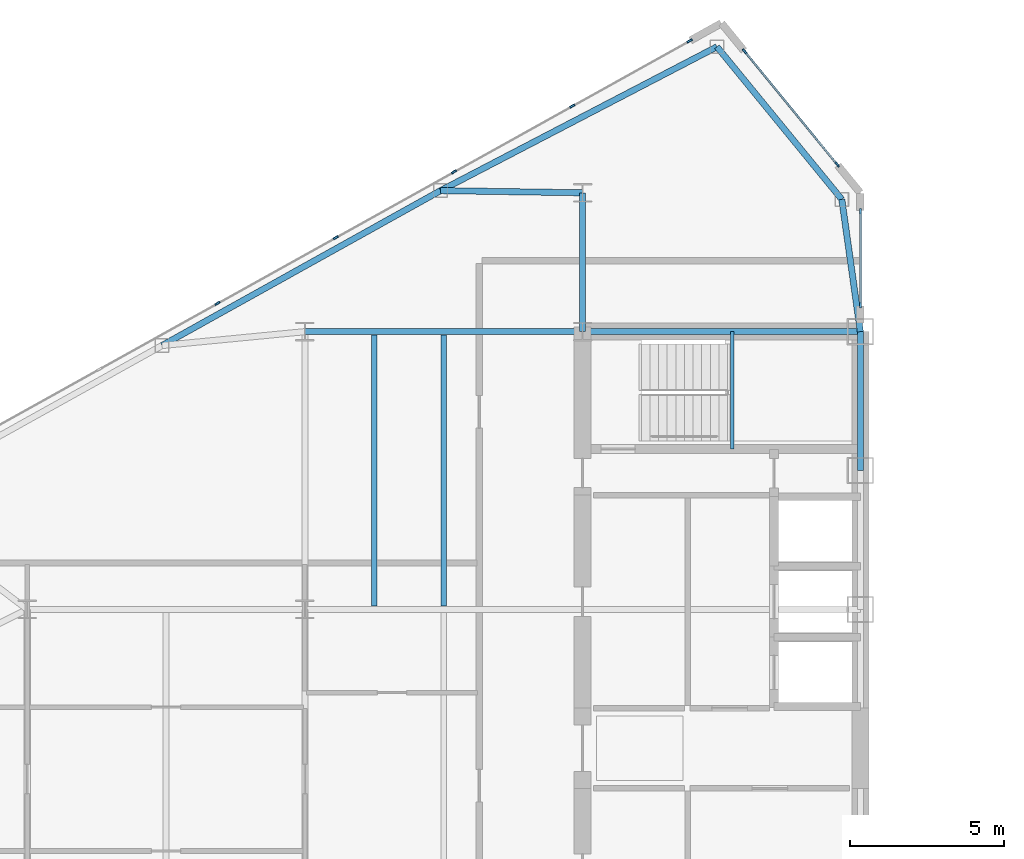
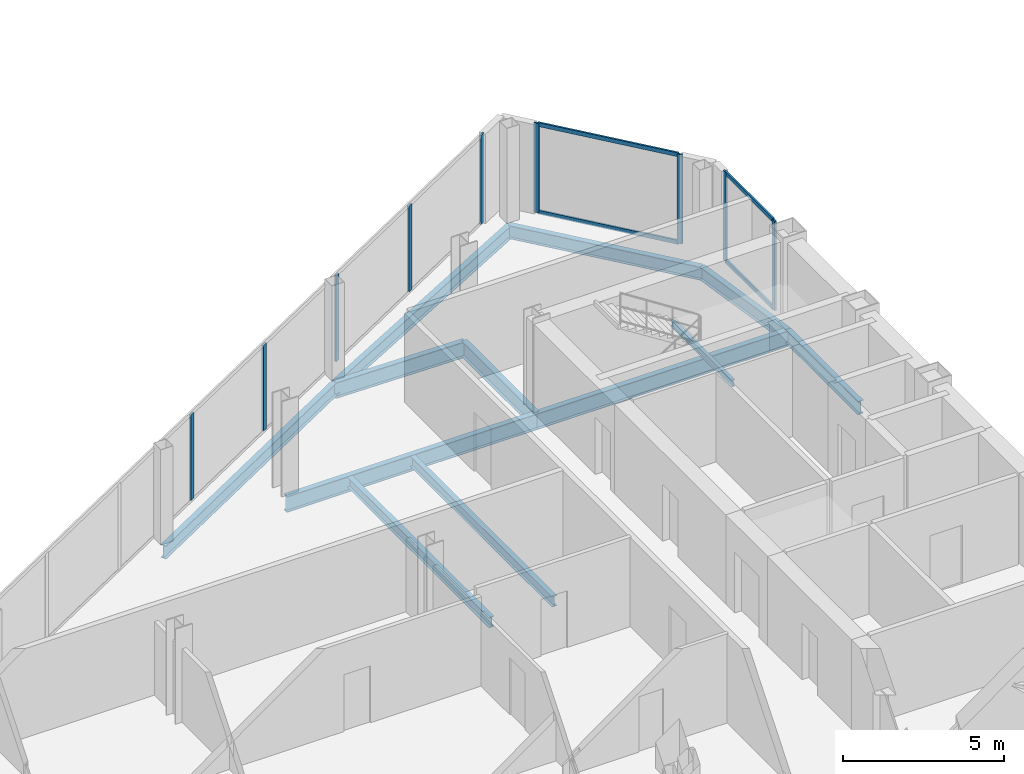
# One storey, part 10 of 26: 13 members, 12 beams, 3 elements without a shape of their own.
"""IFC4 building model written with IfcOpenShell, lengths in metres."""

from ifc_helpers import new_model, si_unit, direction, frame, origin, origin_2d, place, context, subcontext, project, spatial, rectangle, i_section, extrude, source, transform, mapped, material, layer, layer_set, material_profile, profile_set, type_object, type_shapes, element, aggregate, save


model = new_model("IFC4")

# Units and contexts
model_context = context("Model", 3, precision=1e-05, world=origin(), true_north=direction((0.0, 1.0)))
body_context = subcontext(model_context, "Body", "Model", "MODEL_VIEW")
ifc_project = project(units=[si_unit("LENGTHUNIT", "METRE"), si_unit("AREAUNIT", "SQUARE_METRE"), si_unit("VOLUMEUNIT", "CUBIC_METRE"), si_unit("PLANEANGLEUNIT", "RADIAN"), si_unit("MASSUNIT", "GRAM", prefix="KILO")], contexts=[model_context])

# Site, building, storey
site_placement = place(None, origin())
site = spatial("IfcSite", under=ifc_project, at=site_placement, CompositionType="ELEMENT")
building_placement = place(site_placement, origin())
building = spatial("IfcBuilding", under=site, at=building_placement, Name="Seokmaru Belvedere", CompositionType="ELEMENT")
storey_placement = place(building_placement, frame((0.0, 0.0, 170.699951171875)))
storey = spatial("IfcBuildingStorey", under=building, at=storey_placement, Name="L45", CompositionType="ELEMENT", Elevation=170.699951171875)

# Beams
ifc_material_1 = material(Name="Steel SM355 (355 MPa)", Category="steel")
ifc_material_profile_1 = material_profile(ifc_material_1, i_section(OverallWidth=0.199951171875, OverallDepth=0.5, WebThickness=0.010009765625, FlangeThickness=0.01611328125, at=origin_2d()), Name="H-500x200x10x16")
ifc_profile_set_1 = profile_set([ifc_material_profile_1], Name="Steel SM355 (355 MPa)")
beam_type_1 = type_object("IfcBeamType", Name="Perimeter Spandrel Beam H-500", PredefinedType="SPANDREL", material=ifc_profile_set_1)
shared_shape_1 = source(origin(), body_context, "Body", "SweptSolid", [
    extrude(i_section(OverallWidth=0.199951171875, OverallDepth=0.5, WebThickness=0.010009765625, FlangeThickness=0.01611328125, at=origin_2d()), origin(), (0.0, 0.0, 1.0), 4.5),
])
beam_1_placement = place(storey_placement, frame((-27.5, 9.0, -0.469970703125), z_axis=(0.0, 1.0, 0.0), x_axis=(-1.0, 0.0, 0.0)))
element("IfcBeam", 1, at=beam_1_placement, inside=storey, type_object=beam_type_1, Name="L45 W Portal Spine Spandrel 5", PredefinedType="SPANDREL", context=body_context, shape_type="MappedRepresentation", body=[
    mapped(shared_shape_1, transform((0.0, 0.0, 0.0), scale=1.0)),
])
ifc_material_profile_2 = material_profile(ifc_material_1, i_section(OverallWidth=0.199951171875, OverallDepth=0.60009765625, WebThickness=0.010986328125, FlangeThickness=0.01708984375, at=origin_2d()), Name="H-600x200x11x17")
ifc_profile_set_2 = profile_set([ifc_material_profile_2], Name="Steel SM355 (355 MPa)")
beam_type_2 = type_object("IfcBeamType", Name="Primary Floor Girder H-600", PredefinedType="BEAM", material=ifc_profile_set_2)
shared_shape_2 = source(origin(), body_context, "Body", "SweptSolid", [
    extrude(i_section(OverallWidth=0.199951171875, OverallDepth=0.60009765625, WebThickness=0.010986328125, FlangeThickness=0.01708984375, at=origin_2d()), origin(), (0.0, 0.0, 1.0), 9.0),
])
for number, where, z_axis, x_axis, name in (
    (2, (-36.5, 13.5, -0.52001953125), (1.0, 0.0, 0.0), (0.0, 1.0, 0.0), "L45 W Core Tie Girder 4"),
    (3, (-45.5, 13.5, -0.52001953125), (1.0, 0.0, 0.0), (0.0, 1.0, 0.0), "L45 W Wing Primary Girder 4"),
):
    element("IfcBeam", number, at=place(storey_placement, frame(where, z_axis=z_axis, x_axis=x_axis)), inside=storey, type_object=beam_type_2, Name=name, PredefinedType="BEAM", context=body_context, shape_type="MappedRepresentation", body=[
        mapped(shared_shape_2, transform((0.0, 0.0, 0.0), scale=1.0)),
    ])
ifc_material_profile_3 = material_profile(ifc_material_1, i_section(OverallWidth=0.18505859375, OverallDepth=0.389892578125, WebThickness=0.008056640625, FlangeThickness=0.011962890625, at=origin_2d()), Name="H-390x185x8x12")
ifc_profile_set_3 = profile_set([ifc_material_profile_3], Name="Steel SM355 (355 MPa)")
beam_type_3 = type_object("IfcBeamType", Name="Secondary Floor Joist H-350", PredefinedType="JOIST", material=ifc_profile_set_3)
shared_shape_3 = source(origin(), body_context, "Body", "SweptSolid", [
    extrude(i_section(OverallWidth=0.18505859375, OverallDepth=0.389892578125, WebThickness=0.008056640625, FlangeThickness=0.011962890625, at=origin_2d()), origin(), (0.0, 0.0, 1.0), 8.7900390625),
])
type_shapes(beam_type_3, [shared_shape_3])
for number, where, z_axis, x_axis, name in (
    (4, (-43.25, 4.60498046875, -0.4150390625), (0.0, 1.0, 0.0), (-1.0, 0.0, 0.0), "L45 W Wing Inner Secondary Joist 2"),
    (5, (-41.0, 4.60498046875, -0.4150390625), (0.0, 1.0, 0.0), (-1.0, 0.0, 0.0), "L45 W Secondary Floor Joist 3"),
):
    element("IfcBeam", number, at=place(storey_placement, frame(where, z_axis=z_axis, x_axis=x_axis)), inside=storey, type_object=beam_type_3, Name=name, PredefinedType="JOIST", context=body_context, shape_type="MappedRepresentation", body=[
        mapped(shared_shape_3, transform((0.0, 0.0, 0.0), scale=1.0)),
    ])
shared_shape_4 = source(origin(), body_context, "Body", "SweptSolid", [
    extrude(i_section(OverallWidth=0.199951171875, OverallDepth=0.60009765625, WebThickness=0.010986328125, FlangeThickness=0.01708984375, at=origin_2d()), origin(), (0.0, 0.0, 1.0), 4.5),
])
beam_2_placement = place(storey_placement, frame((-36.5, 13.5, -0.52001953125), z_axis=(0.0, 1.0, 0.0), x_axis=(-1.0, 0.0, 0.0)))
element("IfcBeam", 6, at=beam_2_placement, inside=storey, type_object=beam_type_2, Name="L45 W Core Shoulder Girder N", PredefinedType="BEAM", context=body_context, shape_type="MappedRepresentation", body=[
    mapped(shared_shape_4, transform((0.0, 0.0, 0.0), scale=1.0)),
])
shared_shape_5 = source(origin(), body_context, "Body", "SweptSolid", [
    extrude(i_section(OverallWidth=0.199951171875, OverallDepth=0.5, WebThickness=0.010009765625, FlangeThickness=0.01611328125, at=origin_2d()), origin(), (0.0, 0.0, 1.0), 10.09716796875),
])
beam_3_placement = place(storey_placement, frame((-32.146728515625, 22.731689453125, -0.469970703125), z_axis=(-0.887085728914, -0.461604711369, 0.0), x_axis=(0.461604711369, -0.887085728914, 0.0)))
element("IfcBeam", 7, at=beam_3_placement, inside=storey, type_object=beam_type_1, Name="L45 W Faceted Flank Spandrel N-1", PredefinedType="SPANDREL", context=body_context, shape_type="MappedRepresentation", body=[
    mapped(shared_shape_5, transform((0.0, 0.0, 0.0), scale=1.0)),
])
shared_shape_6 = source(origin(), body_context, "Body", "SweptSolid", [
    extrude(i_section(OverallWidth=0.199951171875, OverallDepth=0.5, WebThickness=0.010009765625, FlangeThickness=0.01611328125, at=origin_2d()), origin(), (0.0, 0.0, 1.0), 10.327392578125),
])
beam_4_placement = place(storey_placement, frame((-41.103759765625, 18.07080078125, -0.469970703125), z_axis=(-0.873924120588, -0.486062374037, 0.0), x_axis=(0.486062374037, -0.873924120588, 0.0)))
element("IfcBeam", 8, at=beam_4_placement, inside=storey, type_object=beam_type_1, Name="L45 W Faceted Flank Spandrel N-2", PredefinedType="SPANDREL", context=body_context, shape_type="MappedRepresentation", body=[
    mapped(shared_shape_6, transform((0.0, 0.0, 0.0), scale=1.0)),
])
shared_shape_7 = source(origin(), body_context, "Body", "SweptSolid", [
    extrude(i_section(OverallWidth=0.199951171875, OverallDepth=0.5, WebThickness=0.010009765625, FlangeThickness=0.01611328125, at=origin_2d()), origin(), (0.0, 0.0, 1.0), 6.390380859375),
])
beam_5_placement = place(storey_placement, frame((-32.146728515625, 22.731689453125, -0.469970703125), z_axis=(0.63324403161, -0.7739521926, 0.0), x_axis=(0.7739521926, 0.63324403161, 0.0)))
element("IfcBeam", 9, at=beam_5_placement, inside=storey, type_object=beam_type_1, Name="L45 W Shoulder Chamfer Spandrel N", PredefinedType="SPANDREL", context=body_context, shape_type="MappedRepresentation", body=[
    mapped(shared_shape_7, transform((0.0, 0.0, 0.0), scale=1.0)),
])
shared_shape_8 = source(origin(), body_context, "Body", "SweptSolid", [
    extrude(i_section(OverallWidth=0.199951171875, OverallDepth=0.5, WebThickness=0.010009765625, FlangeThickness=0.01611328125, at=origin_2d()), origin(), (0.0, 0.0, 1.0), 4.32763671875),
])
type_shapes(beam_type_1, [shared_shape_1, shared_shape_5, shared_shape_6, shared_shape_7, shared_shape_8])
beam_6_placement = place(storey_placement, frame((-28.10009765625, 17.785888671875, -0.469970703125), z_axis=(0.138664443237, -0.990339422714, 0.0), x_axis=(0.990339422714, 0.138664443237, 0.0)))
element("IfcBeam", 10, at=beam_6_placement, inside=storey, type_object=beam_type_1, Name="L45 W Shoulder Spine Spandrel N", PredefinedType="SPANDREL", context=body_context, shape_type="MappedRepresentation", body=[
    mapped(shared_shape_8, transform((0.0, 0.0, 0.0), scale=1.0)),
])
shared_shape_9 = source(origin(), body_context, "Body", "SweptSolid", [
    extrude(i_section(OverallWidth=0.199951171875, OverallDepth=0.60009765625, WebThickness=0.010986328125, FlangeThickness=0.01708984375, at=origin_2d()), origin(), (0.0, 0.0, 1.0), 4.604248046875),
])
type_shapes(beam_type_2, [shared_shape_2, shared_shape_4, shared_shape_9])
beam_7_placement = place(storey_placement, frame((-41.103759765625, 18.07080078125, -0.52001953125), z_axis=(0.999881765622, -0.01537708607, 0.0), x_axis=(0.01537708607, 0.999881765622, 0.0)))
element("IfcBeam", 11, at=beam_7_placement, inside=storey, type_object=beam_type_2, Name="L45 W Flank Radial Floor Girder N-1", PredefinedType="BEAM", context=body_context, shape_type="MappedRepresentation", body=[
    mapped(shared_shape_9, transform((0.0, 0.0, 0.0), scale=1.0)),
])

# Curtain wall, members
ifc_material_2 = material(Name="Bronze Triple Insulating Glass", Category="glass")
ifc_layer = layer(ifc_material_2, 0.179931640625)
ifc_layer_set = layer_set([ifc_layer], Name="Bronze Triple Insulating Glass")
curtain_wall_type = type_object("IfcCurtainWallType", Name="High-Rise Wind-Corner Curtain Wall System CW-5", PredefinedType="NOTDEFINED", material=ifc_layer_set)
curtain_wall_1_placement = place(storey_placement, origin())
curtain_wall_1 = element("IfcCurtainWall", 12, at=curtain_wall_1_placement, inside=storey, type_object=curtain_wall_type, Name="L45 Curtain Wall WSP_2", PredefinedType="NOTDEFINED")
ifc_material_3 = material(Name="Anodised Bronze Aluminium", Category="aluminium")
ifc_material_profile_4 = material_profile(ifc_material_3, rectangle(XDim=0.06494140625, YDim=0.14990234375, at=origin_2d()), Name="CW-T-65x150")
ifc_profile_set_4 = profile_set([ifc_material_profile_4], Name="Anodised Bronze Aluminium")
member_type_1 = type_object("IfcMemberType", Name="Bronze Unitised Transom 65x150", PredefinedType="USERDEFINED", material=ifc_profile_set_4)
shared_shape_10 = source(origin(), body_context, "Body", "SweptSolid", [
    extrude(rectangle(XDim=0.06494140625, YDim=0.14990234375, at=origin_2d()), origin(), (0.0, 0.0, 1.0), 2.969970703125),
])
member_1_placement = place(storey_placement, frame((-27.5, 14.39501953125, 0.032470703125), z_axis=(0.0, 1.0, 0.0), x_axis=(-1.0, 0.0, 0.0)))
member_1 = element("IfcMember", 13, at=member_1_placement, type_object=member_type_1, Name="CW:L45:WSP_2 Continuous Transom 1", ObjectType="TRANSOM", PredefinedType="USERDEFINED", context=body_context, shape_type="MappedRepresentation", body=[
    mapped(shared_shape_10, transform((0.0, 0.0, 0.0), scale=1.0)),
])
member_2_placement = place(storey_placement, frame((-27.5, 14.39501953125, 3.34765625), z_axis=(0.0, 1.0, 0.0), x_axis=(-1.0, 0.0, 0.0)))
member_2 = element("IfcMember", 14, at=member_2_placement, type_object=member_type_1, Name="CW:L45:WSP_2 Continuous Transom 2", ObjectType="TRANSOM", PredefinedType="USERDEFINED", context=body_context, shape_type="MappedRepresentation", body=[
    mapped(shared_shape_10, transform((0.0, 0.0, 0.0), scale=1.0)),
])

curtain_wall_2_placement = place(storey_placement, origin())
curtain_wall_2 = element("IfcCurtainWall", 15, at=curtain_wall_2_placement, inside=storey, type_object=curtain_wall_type, Name="L45 Curtain Wall WF2", PredefinedType="NOTDEFINED")
shared_shape_11 = source(origin(), body_context, "Body", "SweptSolid", [
    extrude(rectangle(XDim=0.06494140625, YDim=0.14990234375, at=origin_2d()), origin(), (0.0, 0.0, 1.0), 4.67626953125),
])
type_shapes(member_type_1, [shared_shape_10, shared_shape_11])
member_3_placement = place(storey_placement, frame((-28.269287109375, 18.9404296875, 0.032470703125), z_axis=(-0.633277591216, 0.773924733074, 0.0), x_axis=(-0.773924733074, -0.633277591216, 0.0)))
member_3 = element("IfcMember", 16, at=member_3_placement, type_object=member_type_1, Name="CW:L45:WF2 Continuous Transom 1", ObjectType="TRANSOM", PredefinedType="USERDEFINED", context=body_context, shape_type="MappedRepresentation", body=[
    mapped(shared_shape_11, transform((0.0, 0.0, 0.0), scale=1.0)),
])
member_4_placement = place(storey_placement, frame((-28.269287109375, 18.9404296875, 3.34765625), z_axis=(-0.633277591216, 0.773924733074, 0.0), x_axis=(-0.773924733074, -0.633277591216, 0.0)))
member_4 = element("IfcMember", 17, at=member_4_placement, type_object=member_type_1, Name="CW:L45:WF2 Continuous Transom 2", ObjectType="TRANSOM", PredefinedType="USERDEFINED", context=body_context, shape_type="MappedRepresentation", body=[
    mapped(shared_shape_11, transform((0.0, 0.0, 0.0), scale=1.0)),
])

curtain_wall_3_placement = place(storey_placement, origin())
curtain_wall_3 = element("IfcCurtainWall", 18, at=curtain_wall_3_placement, inside=storey, type_object=curtain_wall_type, Name="L45 Curtain Wall WF3", PredefinedType="NOTDEFINED")
ifc_material_profile_5 = material_profile(ifc_material_3, rectangle(XDim=0.06494140625, YDim=0.179931640625, at=origin_2d()), Name="CW-M-65x180")
ifc_profile_set_5 = profile_set([ifc_material_profile_5], Name="Anodised Bronze Aluminium")
member_type_2 = type_object("IfcMemberType", Name="Bronze Unitised Mullion 65x180", PredefinedType="MULLION", material=ifc_profile_set_5)
shared_shape_12 = source(origin(), body_context, "Body", "SweptSolid", [
    extrude(rectangle(XDim=0.06494140625, YDim=0.179931640625, at=origin_2d()), origin(), (0.0, 0.0, 1.0), 3.25),
])
member_5_placement = place(storey_placement, frame((-36.837158203125, 20.809814453125, 0.06494140625), z_axis=(0.0, 0.0, 1.0), x_axis=(0.486047125147, -0.873932601598, 0.0)))
member_5 = element("IfcMember", 19, at=member_5_placement, type_object=member_type_2, Name="CW:L45:WF3 Mullion 2", PredefinedType="MULLION", context=body_context, shape_type="MappedRepresentation", body=[
    mapped(shared_shape_12, transform((0.0, 0.0, 0.0), scale=1.0)),
])
member_6_placement = place(storey_placement, frame((-40.66943359375, 18.67822265625, 0.06494140625), z_axis=(0.0, 0.0, 1.0), x_axis=(0.486047125147, -0.873932601598, 0.0)))
member_6 = element("IfcMember", 20, at=member_6_placement, type_object=member_type_2, Name="CW:L45:WF3 Mullion 3", PredefinedType="MULLION", context=body_context, shape_type="MappedRepresentation", body=[
    mapped(shared_shape_12, transform((0.0, 0.0, 0.0), scale=1.0)),
])
member_7_placement = place(storey_placement, frame((-44.501708984375, 16.547119140625, 0.06494140625), z_axis=(0.0, 0.0, 1.0), x_axis=(0.486047125147, -0.873932601598, 0.0)))
member_7 = element("IfcMember", 21, at=member_7_placement, type_object=member_type_2, Name="CW:L45:WF3 Mullion 4", PredefinedType="MULLION", context=body_context, shape_type="MappedRepresentation", body=[
    mapped(shared_shape_12, transform((0.0, 0.0, 0.0), scale=1.0)),
])
member_8_placement = place(storey_placement, frame((-48.333984375, 14.415771484375, 0.06494140625), z_axis=(0.0, 0.0, 1.0), x_axis=(0.486047125147, -0.873932601598, 0.0)))
member_8 = element("IfcMember", 22, at=member_8_placement, type_object=member_type_2, Name="CW:L45:WF3 Mullion 5", PredefinedType="MULLION", context=body_context, shape_type="MappedRepresentation", body=[
    mapped(shared_shape_12, transform((0.0, 0.0, 0.0), scale=1.0)),
])

# Member
shared_shape_13 = source(origin(), body_context, "Body", "SweptSolid", [
    extrude(rectangle(XDim=0.06494140625, YDim=0.179931640625, at=origin_2d()), origin(), (0.0, 0.0, 1.0), 3.380126953125),
])
type_shapes(member_type_2, [shared_shape_12, shared_shape_13])
member_9_placement = place(storey_placement, frame((-27.5, 14.362548828125, 0.0), z_axis=(0.0, 0.0, 1.0), x_axis=(-1.0, 0.0, 0.0)))
member_9 = element("IfcMember", 23, at=member_9_placement, type_object=member_type_2, Name="CW:L45:WSP_2 Mullion 1", PredefinedType="MULLION", context=body_context, shape_type="MappedRepresentation", body=[
    mapped(shared_shape_13, transform((0.0, 0.0, 0.0), scale=1.0)),
])

member_10_placement = place(storey_placement, frame((-27.5, 17.3974609375, 0.0), z_axis=(0.0, 0.0, 1.0), x_axis=(-1.0, 0.0, 0.0)))
member_10 = element("IfcMember", 24, at=member_10_placement, type_object=member_type_2, Name="CW:L45:WSP_2 Mullion 2", PredefinedType="MULLION", context=body_context, shape_type="MappedRepresentation", body=[
    mapped(shared_shape_13, transform((0.0, 0.0, 0.0), scale=1.0)),
])

aggregate(curtain_wall_1, [member_9, member_10, member_1, member_2])

member_11_placement = place(storey_placement, frame((-28.248779296875, 18.915283203125, 0.0), z_axis=(0.0, 0.0, 1.0), x_axis=(-0.773944112379, -0.633253907144, 0.0)))
member_11 = element("IfcMember", 25, at=member_11_placement, type_object=member_type_2, Name="CW:L45:WF2 Mullion 1", PredefinedType="MULLION", context=body_context, shape_type="MappedRepresentation", body=[
    mapped(shared_shape_13, transform((0.0, 0.0, 0.0), scale=1.0)),
])

member_12_placement = place(storey_placement, frame((-31.251220703125, 22.584716796875, 0.0), z_axis=(0.0, 0.0, 1.0), x_axis=(-0.773944112379, -0.633253907144, 0.0)))
member_12 = element("IfcMember", 26, at=member_12_placement, type_object=member_type_2, Name="CW:L45:WF2 Mullion 2", PredefinedType="MULLION", context=body_context, shape_type="MappedRepresentation", body=[
    mapped(shared_shape_13, transform((0.0, 0.0, 0.0), scale=1.0)),
])

aggregate(curtain_wall_2, [member_11, member_12, member_3, member_4])

member_13_placement = place(storey_placement, frame((-33.033447265625, 22.92529296875, 0.0), z_axis=(0.0, 0.0, 1.0), x_axis=(0.486047125147, -0.873932601598, 0.0)))
member_13 = element("IfcMember", 27, at=member_13_placement, type_object=member_type_2, Name="CW:L45:WF3 Mullion 1", PredefinedType="MULLION", context=body_context, shape_type="MappedRepresentation", body=[
    mapped(shared_shape_13, transform((0.0, 0.0, 0.0), scale=1.0)),
])

aggregate(curtain_wall_3, [member_13, member_5, member_6, member_7, member_8])

# Beam
ifc_material_profile_6 = material_profile(ifc_material_1, i_section(OverallWidth=0.125, OverallDepth=0.25, WebThickness=0.006103515625, FlangeThickness=0.009033203125, at=origin_2d()), Name="H-250x125x6x9")
ifc_profile_set_6 = profile_set([ifc_material_profile_6], Name="Steel SM355 (355 MPa)")
beam_type_4 = type_object("IfcBeamType", Name="Stair Mid-Landing Support Beam H-250", PredefinedType="JOIST", material=ifc_profile_set_6)
shared_shape_14 = source(origin(), body_context, "Body", "SweptSolid", [
    extrude(i_section(OverallWidth=0.125, OverallDepth=0.25, WebThickness=0.006103515625, FlangeThickness=0.009033203125, at=origin_2d()), origin(), (0.0, 0.0, 1.0), 3.800048828125),
])
type_shapes(beam_type_4, [shared_shape_14])
beam_8_placement = place(storey_placement, frame((-31.64990234375, 9.699951171875, 1.47509765625), z_axis=(0.0, 1.0, 0.0), x_axis=(-1.0, 0.0, 0.0)))
element("IfcBeam", 28, at=beam_8_placement, inside=storey, type_object=beam_type_4, Name="L45 Stair ST-W2 Mid-Landing Support Beam 1", PredefinedType="JOIST", context=body_context, shape_type="MappedRepresentation", body=[
    mapped(shared_shape_14, transform((0.0, 0.0, 0.0), scale=1.0)),
])

save(model, "model.ifc")
